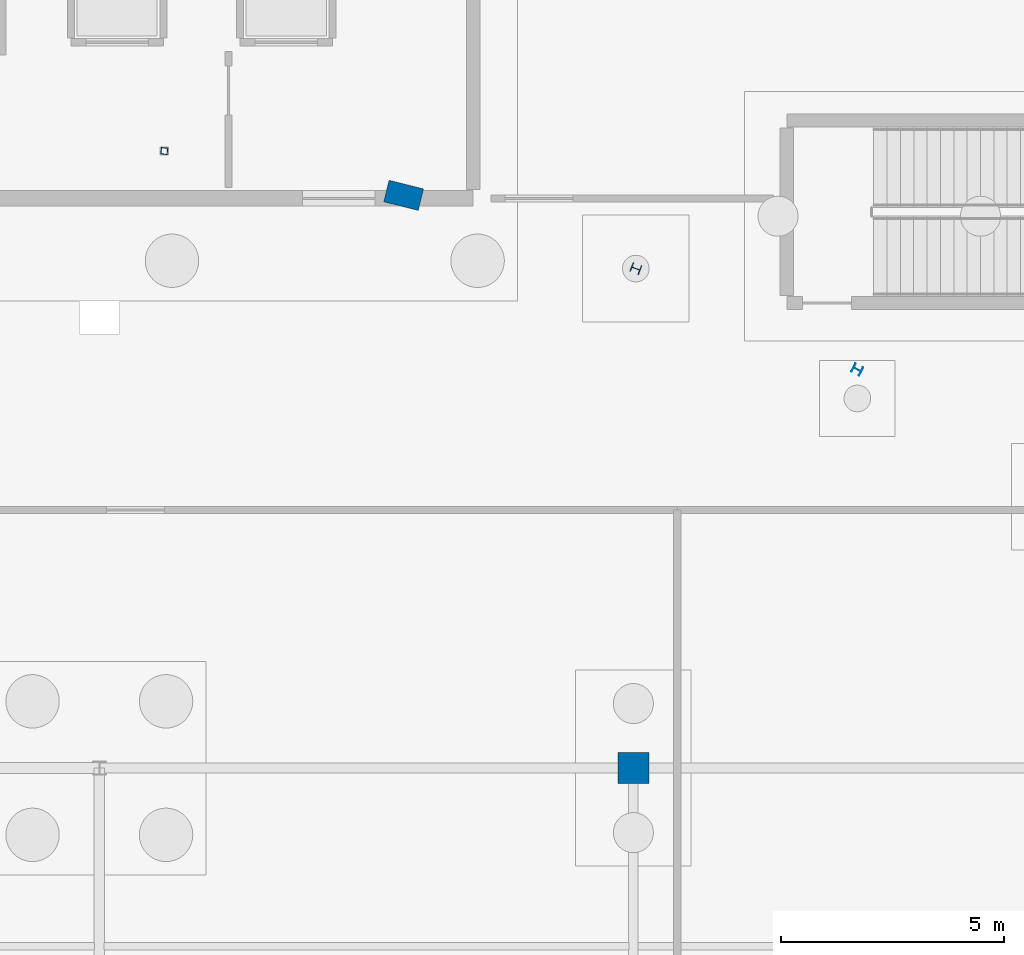
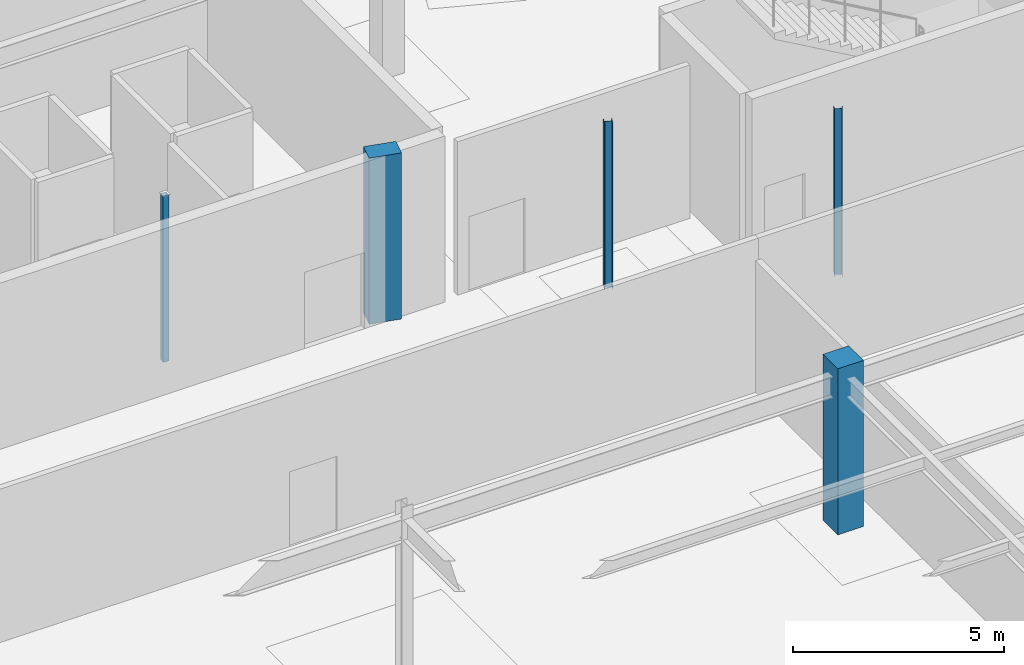
# One storey, part 40 of 136: 5 columns.
"""IFC4 building model written with IfcOpenShell, lengths in metres."""

from ifc_helpers import new_model, si_unit, direction, frame, origin, origin_2d, place, context, subcontext, project, spatial, rectangle, hollow_rectangle, i_section, extrude, material, material_profile, profile_set, type_object, element, save


model = new_model("IFC4")

# Units and contexts
model_context = context("Model", 3, precision=1e-05, world=origin(), true_north=direction((0.0, 1.0)))
body_context = subcontext(model_context, "Body", "Model", "MODEL_VIEW")
ifc_project = project(units=[si_unit("LENGTHUNIT", "METRE"), si_unit("AREAUNIT", "SQUARE_METRE"), si_unit("VOLUMEUNIT", "CUBIC_METRE"), si_unit("PLANEANGLEUNIT", "RADIAN"), si_unit("MASSUNIT", "GRAM", prefix="KILO")], contexts=[model_context])

# Site, building, storey
site_placement = place(None, origin())
site = spatial("IfcSite", under=ifc_project, at=site_placement, CompositionType="ELEMENT")
building_placement = place(site_placement, origin())
building = spatial("IfcBuilding", under=site, at=building_placement, Name="Tarnwether General Hospital", CompositionType="ELEMENT")
storey_placement = place(building_placement, frame((0.0, 0.0, -4.800048828125)))
storey = spatial("IfcBuildingStorey", under=building, at=storey_placement, Name="LG", CompositionType="ELEMENT", Elevation=-4.800048828125)

# Columns
ifc_material_1 = material(Name="Concrete 50 MPa", Category="concrete")
ifc_material_profile_1 = material_profile(ifc_material_1, rectangle(XDim=0.699951171875, YDim=0.699951171875, at=origin_2d()), Name="RC-COL-700x700")
ifc_profile_set_1 = profile_set([ifc_material_profile_1], Name="Concrete 50 MPa")
column_type_1 = type_object("IfcColumnType", Name="COL-18", PredefinedType="COLUMN", material=ifc_profile_set_1)
column_1_placement = place(storey_placement, frame((108.0, 93.60009765625, 0.0), z_axis=(0.0, 0.0, 1.0), x_axis=(0.0, 1.0, 0.0)))
element("IfcColumn", 1, at=column_1_placement, inside=storey, type_object=column_type_1, Name="Column COLG-LG-10800_9360", PredefinedType="COLUMN", context=body_context, shape_type="SweptSolid", body=[
    extrude(rectangle(XDim=0.699951171875, YDim=0.699951171875, at=origin_2d()), origin(), (0.0, 0.0, 1.0), 4.800048828125),
])
ifc_material_2 = material(Name="Concrete 50 MPa", Category="concrete")
ifc_material_profile_2 = material_profile(ifc_material_2, rectangle(XDim=0.5, YDim=0.800048828125, at=origin_2d()), Name="RC-PIL-500x800")
ifc_profile_set_2 = profile_set([ifc_material_profile_2], Name="Concrete 50 MPa")
column_type_2 = type_object("IfcColumnType", Name="COL-23", PredefinedType="PILASTER", material=ifc_profile_set_2)
column_2_placement = place(storey_placement, frame((102.837890625, 106.468994140625, 0.0), z_axis=(0.0, 0.0, 1.0), x_axis=(0.2419218956, 0.970295726276, 0.0)))
element("IfcColumn", 2, at=column_2_placement, inside=storey, type_object=column_type_2, Name="Column COLG-LG-10284_10647", PredefinedType="PILASTER", context=body_context, shape_type="SweptSolid", body=[
    extrude(rectangle(XDim=0.5, YDim=0.800048828125, at=origin_2d()), origin(), (0.0, 0.0, 1.0), 4.800048828125),
])
ifc_material_3 = material(Name="Steel Grade 350 (350 MPa)", Category="steel")
ifc_material_profile_3 = material_profile(ifc_material_3, i_section(OverallWidth=0.205078125, OverallDepth=0.2099609375, WebThickness=0.00927734375, FlangeThickness=0.01416015625, at=origin_2d()), Name="200UC59.5")
ifc_profile_set_3 = profile_set([ifc_material_profile_3], Name="Steel Grade 350 (350 MPa)")
column_type_3 = type_object("IfcColumnType", Name="COL-25", PredefinedType="COLUMN", material=ifc_profile_set_3)
column_3_placement = place(storey_placement, frame((108.054931640625, 104.823974609375, 0.0), z_axis=(0.0, 0.0, 1.0), x_axis=(0.358367949545, 0.933580426497, 0.0)))
element("IfcColumn", 3, at=column_3_placement, inside=storey, type_object=column_type_3, Name="Column COLG-LG-10806_10482", PredefinedType="COLUMN", context=body_context, shape_type="SweptSolid", body=[
    extrude(i_section(OverallWidth=0.205078125, OverallDepth=0.2099609375, WebThickness=0.00927734375, FlangeThickness=0.01416015625, at=origin_2d()), origin(), (0.0, 0.0, 1.0), 4.800048828125),
])
ifc_material_4 = material(Name="Steel Grade 350 (350 MPa)", Category="steel")
ifc_material_profile_4 = material_profile(ifc_material_4, i_section(OverallWidth=0.202880859375, OverallDepth=0.202880859375, WebThickness=0.00732421875, FlangeThickness=0.010986328125, at=origin_2d()), Name="200UC46.2")
ifc_profile_set_4 = profile_set([ifc_material_profile_4], Name="Steel Grade 350 (350 MPa)")
column_type_4 = type_object("IfcColumnType", Name="COL-27", PredefinedType="COLUMN", material=ifc_profile_set_4)
column_4_placement = place(storey_placement, frame((113.031982421875, 102.555908203125, 0.0), z_axis=(0.0, 0.0, 1.0), x_axis=(0.469471562786, 0.882947592859, 0.0)))
element("IfcColumn", 4, at=column_4_placement, inside=storey, type_object=column_type_4, Name="Column COLG-LG-11303_10256", PredefinedType="COLUMN", context=body_context, shape_type="SweptSolid", body=[
    extrude(i_section(OverallWidth=0.202880859375, OverallDepth=0.202880859375, WebThickness=0.00732421875, FlangeThickness=0.010986328125, at=origin_2d()), origin(), (0.0, 0.0, 1.0), 4.800048828125),
])
ifc_material_5 = material(Name="Steel Grade C350L0 (350 MPa)", Category="steel")
ifc_material_profile_5 = material_profile(ifc_material_5, hollow_rectangle(XDim=0.14990234375, YDim=0.14990234375, WallThickness=0.008056640625, at=origin_2d()), Name="SHS150x150x8")
ifc_profile_set_5 = profile_set([ifc_material_profile_5], Name="Steel Grade C350L0 (350 MPa)")
column_type_5 = type_object("IfcColumnType", Name="COL-33", PredefinedType="COLUMN", material=ifc_profile_set_5)
column_5_placement = place(storey_placement, frame((97.4599609375, 107.466064453125, 0.0), z_axis=(0.0, 0.0, 1.0), x_axis=(0.121869343405, 0.992546151641, 0.0)))
element("IfcColumn", 5, at=column_5_placement, inside=storey, type_object=column_type_5, Name="Column COLG-LG-9746_10747", PredefinedType="COLUMN", context=body_context, shape_type="SweptSolid", body=[
    extrude(hollow_rectangle(XDim=0.14990234375, YDim=0.14990234375, WallThickness=0.008056640625, at=origin_2d()), origin(), (0.0, 0.0, 1.0), 4.800048828125),
])

save(model, "model.ifc")
